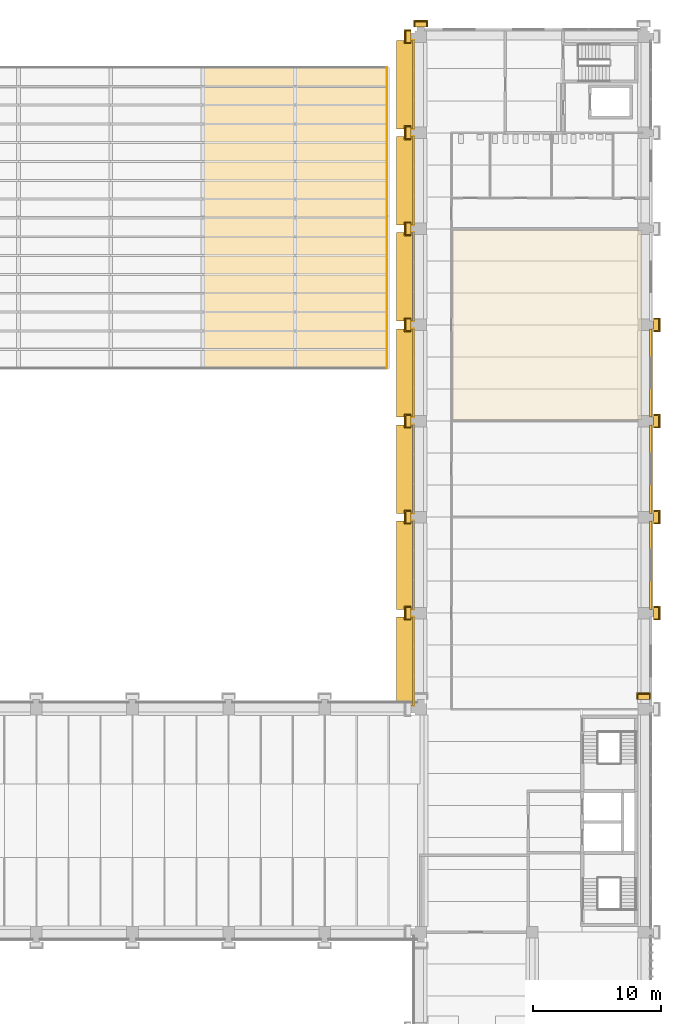
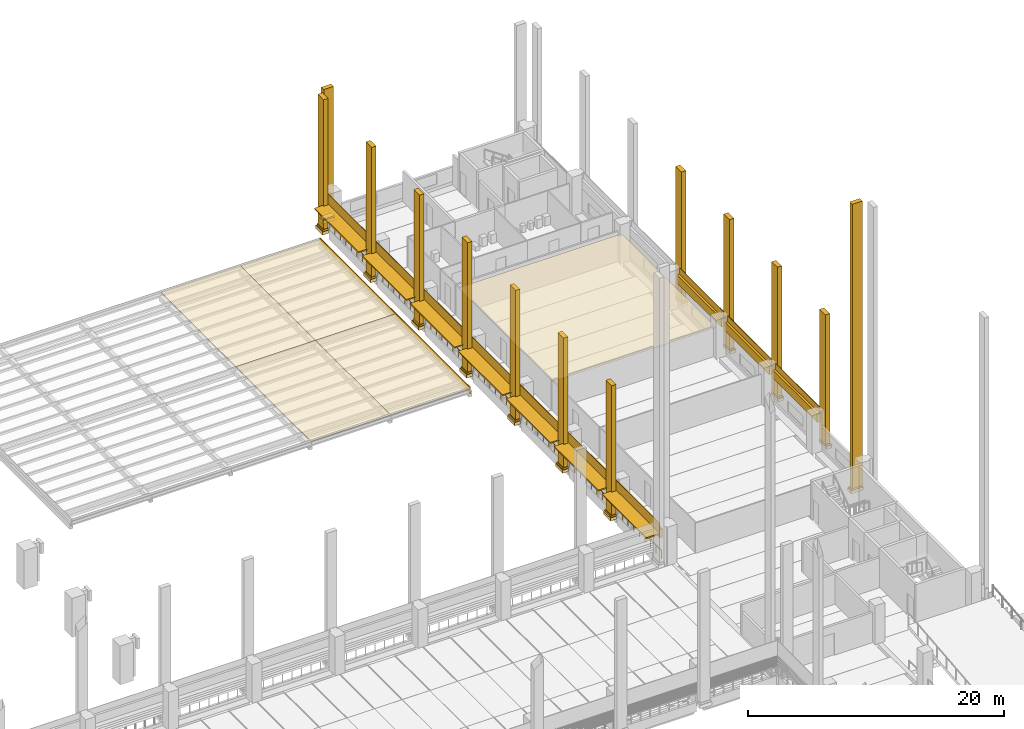
# One storey, part 61 of 67: 55 coverings, 7 railings, 7 shading devices, 1 element without a shape of its own.
"""IFC4 building model written with IfcOpenShell, lengths in metres."""

import ifcopenshell
import ifcopenshell.guid

model = None  # the IFC model being written
_history = None  # IfcOwnerHistory: only IFC2X3 demands one
_inside = {}  # id of a spatial element -> (the spatial element, [elements in it])
_under = {}  # id of a project, library or spatial element -> (it, [spatial elements below it])
_declared = {}  # id of a project -> (the project, [libraries it declares])
_typed = {}  # id of a type object -> (the type object, [elements of that type])
_made_of = {}  # id of a material, layer set ... -> (it, [elements and type objects made of it])


def new_model(schema):
    """Start an empty IFC model of exactly this schema.

    Asked for "IFC4X3", IfcOpenShell would pick the latest addendum, in which some entities
    have other attributes; the version numbers below select the first issue.
    IFC2X3 requires an IfcOwnerHistory on every rooted entity: one is made here for all.
    """
    global model, _history
    if schema == "IFC4X3":
        model = ifcopenshell.file(schema_version=(4, 3, 0, 0))
    else:
        model = ifcopenshell.file(schema=schema)
    _inside.clear()
    _under.clear()
    _declared.clear()
    _typed.clear()
    _made_of.clear()
    _history = None
    if model.schema == "IFC2X3":
        org = make("IfcOrganization", Name="unknown")
        user = make(
            "IfcPersonAndOrganization",
            ThePerson=make("IfcPerson", FamilyName="unknown"),
            TheOrganization=org,
        )
        app = make(
            "IfcApplication",
            ApplicationDeveloper=org,
            Version="unknown",
            ApplicationFullName="unknown",
            ApplicationIdentifier="unknown",
        )
        _history = make(
            "IfcOwnerHistory",
            OwningUser=user,
            OwningApplication=app,
            ChangeAction="ADDED",
            CreationDate=0,
        )
    return model


def make(cls, **values):
    """One entity of the class cls with the attributes given. An attribute that is None is left unset."""
    return model.create_entity(
        cls, **{name: value for name, value in values.items() if value is not None}
    )


def rooted(cls, **values):
    """An entity with a GlobalId (a new one), such as an element, a storey or a relation."""
    return make(cls, GlobalId=ifcopenshell.guid.new(), OwnerHistory=_history, **values)


def si_unit(unit_type, name, prefix=None):
    """IfcSIUnit, for example si_unit("LENGTHUNIT", "METRE", prefix="MILLI")."""
    return make("IfcSIUnit", UnitType=unit_type, Prefix=prefix, Name=name)


def assignment(units):
    """IfcUnitAssignment: the units of a project."""
    return None if units is None else make("IfcUnitAssignment", Units=units)


def point(xyz):
    """IfcCartesianPoint."""
    return None if xyz is None else make("IfcCartesianPoint", Coordinates=xyz)


def direction(xyz):
    """IfcDirection."""
    return None if xyz is None else make("IfcDirection", DirectionRatios=xyz)


def frame(location, z_axis=None, x_axis=None):
    """IfcAxis2Placement3D, a coordinate frame: its origin and axes. An axis left out is left unset."""
    return make(
        "IfcAxis2Placement3D",
        Location=point(location),
        Axis=direction(z_axis),
        RefDirection=direction(x_axis),
    )


def frame_2d(location, x_axis=None):
    """IfcAxis2Placement2D, a coordinate frame in the plane: its origin and x axis."""
    return make(
        "IfcAxis2Placement2D", Location=point(location), RefDirection=direction(x_axis)
    )


def origin():
    """The frame at (0, 0, 0) with its axes left unset."""
    return frame((0.0, 0.0, 0.0))


def origin_2d():
    """The frame at (0, 0) in the plane with its x axis left unset."""
    return frame_2d((0.0, 0.0))


def place(relative_to, where):
    """IfcLocalPlacement: puts the frame where relative to a parent placement (None: the world)."""
    return make(
        "IfcLocalPlacement", PlacementRelTo=relative_to, RelativePlacement=where
    )


def context(
    kind, dimensions, precision=None, world=None, true_north=None, identifier=None
):
    """IfcGeometricRepresentationContext, for example the 3D "Model" context."""
    return make(
        "IfcGeometricRepresentationContext",
        ContextIdentifier=identifier,
        ContextType=kind,
        CoordinateSpaceDimension=dimensions,
        Precision=precision,
        WorldCoordinateSystem=world,
        TrueNorth=true_north,
    )


def subcontext(parent, identifier, kind, view, scale=None):
    """IfcGeometricRepresentationSubContext, for example "Body" below "Model"."""
    return make(
        "IfcGeometricRepresentationSubContext",
        ContextIdentifier=identifier,
        ContextType=kind,
        ParentContext=parent,
        TargetScale=scale,
        TargetView=view,
    )


def project(units=None, contexts=None):
    """IfcProject with its units and contexts."""
    return rooted(
        "IfcProject",
        Name="project",
        RepresentationContexts=contexts,
        UnitsInContext=assignment(units),
    )


def spatial(cls, under=None, at=None, **own):
    """A site, building, storey or space (cls), placed at a placement, below another one or the project."""
    s = rooted(cls, ObjectPlacement=at, **own)
    if under is not None:
        _under.setdefault(under.id(), (under, []))[1].append(s)
    return s


def polyline(points):
    """IfcPolyline through the points."""
    return make("IfcPolyline", Points=[point(p) for p in points])


def profile(cls, at=None, kind="AREA", **sizes):
    """A parametric profile (cls). Its sizes go by their IFC names, for example OverallWidth=200.0."""
    return make(cls, ProfileType=kind, Position=at, **sizes)


def circle(**sizes):
    """IfcCircleProfileDef."""
    return profile("IfcCircleProfileDef", **sizes)


def outline(outer, holes=None, kind="AREA"):
    """IfcArbitraryClosedProfileDef: a profile drawn as a closed curve; with holes, ...WithVoids."""
    if holes is None:
        return make("IfcArbitraryClosedProfileDef", ProfileType=kind, OuterCurve=outer)
    return make(
        "IfcArbitraryProfileDefWithVoids",
        ProfileType=kind,
        OuterCurve=outer,
        InnerCurves=holes,
    )


def extrude(swept, where, along, depth):
    """IfcExtrudedAreaSolid: the profile swept, set in the frame where, extruded along a direction by depth."""
    return make(
        "IfcExtrudedAreaSolid",
        SweptArea=swept,
        Position=where,
        ExtrudedDirection=direction(along),
        Depth=depth,
    )


def shape(context_of_items, identifier, shape_type, items):
    """IfcShapeRepresentation: the items that make up one representation, for example the "Body"."""
    return make(
        "IfcShapeRepresentation",
        ContextOfItems=context_of_items,
        RepresentationIdentifier=identifier,
        RepresentationType=shape_type,
        Items=items,
    )


def material(Name=None, Category=None):
    """IfcMaterial."""
    return make("IfcMaterial", Name=Name, Category=Category)


def layer(
    of_material, thickness, ventilated=None, Name=None, Category=None, Priority=None
):
    """IfcMaterialLayer: one layer of a wall or slab, of a material (None: an air gap)."""
    return make(
        "IfcMaterialLayer",
        Material=of_material,
        LayerThickness=thickness,
        IsVentilated=ventilated,
        Name=Name,
        Category=Category,
        Priority=Priority,
    )


def layer_set(layers, Name=None):
    """IfcMaterialLayerSet."""
    return make("IfcMaterialLayerSet", MaterialLayers=layers, LayerSetName=Name)


def made_of(thing, what):
    """Note that an element or type object is made of a material, layer set ...; save() writes the relation."""
    if what is not None:
        _made_of.setdefault(what.id(), (what, []))[1].append(thing)
    return thing


def type_object(cls, material=None, **own):
    """A type object (cls), such as IfcWallType, which elements share."""
    return made_of(rooted(cls, **own), material)


def element(
    cls,
    number,
    at=None,
    inside=None,
    cuts=None,
    type_object=None,
    material=None,
    context=None,
    identifier="Body",
    shape_type=None,
    held_by="IfcProductDefinitionShape",
    body=None,
    shapes=None,
    **own,
):
    """One element of the class cls, such as IfcWall. Its Tag is "e" and its number.

    at: its placement. inside: the storey or other place that contains it. cuts: it is an
    opening in that element (IfcRelVoidsElement). A single representation is given by context,
    identifier, shape_type and body (its items); several are given by shapes. held_by: the class
    of the entity that holds the representations. save() writes the other relations.
    """
    e = rooted(cls, Tag="e%d" % number, ObjectPlacement=at, **own)
    if body is not None:
        shapes = [shape(context, identifier, shape_type, body)]
    if shapes is not None:
        e.Representation = make(held_by, Representations=shapes)
    if inside is not None:
        _inside.setdefault(inside.id(), (inside, []))[1].append(e)
    if cuts is not None:
        rooted(
            "IfcRelVoidsElement", RelatingBuildingElement=cuts, RelatedOpeningElement=e
        )
    if type_object is not None:
        _typed.setdefault(type_object.id(), (type_object, []))[1].append(e)
    return made_of(e, material)


def aggregate(whole, parts):
    """IfcRelAggregates: a whole, such as a stair, and the parts it consists of."""
    return rooted("IfcRelAggregates", RelatingObject=whole, RelatedObjects=parts)


def save(model, path):
    """Write the relations noted so far, then the file.

    IfcRelAggregates (storeys below a building ...), IfcRelContainedInSpatialStructure (elements
    in a storey), IfcRelDefinesByType, IfcRelAssociatesMaterial and IfcRelDeclares: one each for
    every whole, place, type object, material and project.
    """
    for whole, parts in _under.values():
        aggregate(whole, parts)
    for where, things in _inside.values():
        rooted(
            "IfcRelContainedInSpatialStructure",
            RelatedElements=things,
            RelatingStructure=where,
        )
    for kind, things in _typed.values():
        rooted("IfcRelDefinesByType", RelatedObjects=things, RelatingType=kind)
    for what, things in _made_of.values():
        rooted("IfcRelAssociatesMaterial", RelatedObjects=things, RelatingMaterial=what)
    for by, libraries in _declared.values():
        rooted("IfcRelDeclares", RelatingContext=by, RelatedDefinitions=libraries)
    model.write(path)


model = new_model("IFC4")

# Units and contexts
model_context = context("Model", 3, precision=1e-05, world=origin(), true_north=direction((0.0, 1.0)))
body_context = subcontext(model_context, "Body", "Model", "MODEL_VIEW")
ifc_project = project(units=[si_unit("LENGTHUNIT", "METRE"), si_unit("AREAUNIT", "SQUARE_METRE"), si_unit("VOLUMEUNIT", "CUBIC_METRE"), si_unit("PLANEANGLEUNIT", "RADIAN"), si_unit("MASSUNIT", "GRAM", prefix="KILO")], contexts=[model_context])

# Site, building, storey
site_placement = place(None, origin())
site = spatial("IfcSite", under=ifc_project, at=site_placement, CompositionType="ELEMENT")
building_placement = place(site_placement, origin())
building = spatial("IfcBuilding", under=site, at=building_placement, Name="Cour d'Honneur Mobility Palace", CompositionType="ELEMENT")
storey_placement = place(building_placement, frame((0.0, 0.0, 4.5)))
storey = spatial("IfcBuildingStorey", under=building, at=storey_placement, Name="L01", CompositionType="ELEMENT", Elevation=4.5)

# Railings
ifc_material_1 = material(Name="Painted steel", Category="steel")
railing_type = type_object("IfcRailingType", Name="Balustrade", PredefinedType="BALUSTRADE", material=ifc_material_1)
for number, where, name in (
    (1, (144.35009765625, 114.60009765625, 0.300048828125), "Balustrade BAL-33"),
    (2, (144.35009765625, 107.10009765625, 0.300048828125), "Balustrade BAL-34"),
    (3, (144.35009765625, 99.60009765625, 0.300048828125), "Balustrade BAL-35"),
    (4, (144.35009765625, 92.10009765625, 0.300048828125), "Balustrade BAL-36"),
    (5, (144.35009765625, 84.60009765625, 0.300048828125), "Balustrade BAL-37"),
    (6, (144.35009765625, 77.10009765625, 0.300048828125), "Balustrade BAL-38"),
    (7, (144.35009765625, 69.60009765625, 0.300048828125), "Balustrade BAL-39"),
):
    element("IfcRailing", number, at=place(storey_placement, frame(where)), inside=storey, type_object=railing_type, Name=name, PredefinedType="BALUSTRADE", context=body_context, shape_type="SweptSolid", body=[
        extrude(circle(Radius=0.02392578125, at=origin_2d()), frame((0.0, 0.0, 0.77587890625), z_axis=(0.0, -1.0, 0.0), x_axis=(1.0, 0.0, 0.0)), (0.0, 0.0, 1.0), 6.900146484375),
        extrude(circle(Radius=0.02099609375, at=origin_2d()), origin(), (0.0, 0.0, 1.0), 0.751953125),
        extrude(circle(Radius=0.02099609375, at=origin_2d()), frame((0.0, -0.862548828125, 0.0)), (0.0, 0.0, 1.0), 0.751953125),
        extrude(circle(Radius=0.02099609375, at=origin_2d()), frame((0.0, -1.72509765625, 0.0)), (0.0, 0.0, 1.0), 0.751953125),
        extrude(circle(Radius=0.02099609375, at=origin_2d()), frame((0.0, -2.587646484375, 0.0)), (0.0, 0.0, 1.0), 0.751953125),
        extrude(circle(Radius=0.02099609375, at=origin_2d()), frame((0.0, -3.4501953125, 0.0)), (0.0, 0.0, 1.0), 0.751953125),
        extrude(circle(Radius=0.02099609375, at=origin_2d()), frame((0.0, -4.3125, 0.0)), (0.0, 0.0, 1.0), 0.751953125),
        extrude(circle(Radius=0.02099609375, at=origin_2d()), frame((0.0, -5.175048828125, 0.0)), (0.0, 0.0, 1.0), 0.751953125),
        extrude(circle(Radius=0.02099609375, at=origin_2d()), frame((0.0, -6.03759765625, 0.0)), (0.0, 0.0, 1.0), 0.751953125),
        extrude(circle(Radius=0.02099609375, at=origin_2d()), frame((0.0, -6.900146484375, 0.0)), (0.0, 0.0, 1.0), 0.751953125),
    ])

# Roof, coverings
ifc_material_2 = material(Name="Zinc standing seam")
ifc_layer_1 = layer(ifc_material_2, 0.050048828125)
ifc_layer_set_1 = layer_set([ifc_layer_1], Name="Zinc standing seam")
roof_type = type_object("IfcRoofType", Name="Forecourt canopy", PredefinedType="FLAT_ROOF", material=ifc_layer_set_1)
roof_placement = place(storey_placement, origin())
roof = element("IfcRoof", 8, at=roof_placement, inside=storey, type_object=roof_type, Name="Forecourt canopy roof E", PredefinedType="FLAT_ROOF")
ifc_material_3 = material(Name="Cast limestone", Category="masonry")
ifc_layer_2 = layer(ifc_material_3, 0.0400390625)
ifc_layer_set_2 = layer_set([ifc_layer_2], Name="Cast limestone")
covering_type_1 = type_object("IfcCoveringType", Name="Canopy fascia", PredefinedType="CLADDING", material=ifc_layer_set_2)
covering_1_placement = place(storey_placement, frame((142.300048828125, 89.0, 0.800048828125), z_axis=(1.0, 0.0, 0.0), x_axis=(0.0, 1.0, 0.0)))
covering_1 = element("IfcCovering", 9, at=covering_1_placement, type_object=covering_type_1, Name="Canopy fascia FCF-E2", PredefinedType="CLADDING", context=body_context, shape_type="SweptSolid", body=[
    extrude(outline(polyline([(0.0, 0.0), (23.5, 0.0), (23.5, 0.64990234375), (0.0, 0.64990234375), (0.0, 0.0)])), origin(), (0.0, 0.0, -1.0), 0.0400390625),
])
ifc_material_4 = material(Name="Zinc standing seam")
ifc_layer_3 = layer(ifc_material_4, 0.050048828125)
ifc_layer_set_3 = layer_set([ifc_layer_3], Name="Zinc standing seam")
covering_type_2 = type_object("IfcCoveringType", Name="Canopy roof panel", PredefinedType="ROOFING", material=ifc_layer_set_3)
covering_2_placement = place(storey_placement, frame((127.89990234375, 89.0, 1.300048828125), z_axis=(0.0, 0.0, 1.0), x_axis=(1.0, 0.0, 0.0)))
covering_2 = element("IfcCovering", 10, at=covering_2_placement, type_object=covering_type_2, Name="Canopy roof panel FCS-E7", PredefinedType="ROOFING", context=body_context, shape_type="SweptSolid", body=[
    extrude(outline(polyline([(0.0, 0.0), (7.2001953125, 0.0), (7.2001953125, 11.75), (0.0, 11.75), (0.0, 0.0)])), origin(), (0.0, 0.0, -1.0), 0.050048828125),
])
covering_3_placement = place(storey_placement, frame((127.89990234375, 100.75, 1.300048828125), z_axis=(0.0, 0.0, 1.0), x_axis=(1.0, 0.0, 0.0)))
covering_3 = element("IfcCovering", 11, at=covering_3_placement, type_object=covering_type_2, Name="Canopy roof panel FCS-E8", PredefinedType="ROOFING", context=body_context, shape_type="SweptSolid", body=[
    extrude(outline(polyline([(0.0, 0.0), (7.2001953125, 0.0), (7.2001953125, 11.75), (0.0, 11.75), (0.0, 0.0)])), origin(), (0.0, 0.0, -1.0), 0.050048828125),
])
covering_4_placement = place(storey_placement, frame((135.10009765625, 89.0, 1.300048828125), z_axis=(0.0, 0.0, 1.0), x_axis=(1.0, 0.0, 0.0)))
covering_4 = element("IfcCovering", 12, at=covering_4_placement, type_object=covering_type_2, Name="Canopy roof panel FCS-E9", PredefinedType="ROOFING", context=body_context, shape_type="SweptSolid", body=[
    extrude(outline(polyline([(0.0, 0.0), (7.199951171875, 0.0), (7.199951171875, 11.75), (0.0, 11.75), (0.0, 0.0)])), origin(), (0.0, 0.0, -1.0), 0.050048828125),
])
covering_5_placement = place(storey_placement, frame((135.10009765625, 100.75, 1.300048828125), z_axis=(0.0, 0.0, 1.0), x_axis=(1.0, 0.0, 0.0)))
covering_5 = element("IfcCovering", 13, at=covering_5_placement, type_object=covering_type_2, Name="Canopy roof panel FCS-E10", PredefinedType="ROOFING", context=body_context, shape_type="SweptSolid", body=[
    extrude(outline(polyline([(0.0, 0.0), (7.199951171875, 0.0), (7.199951171875, 11.75), (0.0, 11.75), (0.0, 0.0)])), origin(), (0.0, 0.0, -1.0), 0.050048828125),
])
aggregate(roof, [covering_2, covering_3, covering_4, covering_5, covering_1])

# Coverings
ifc_material_5 = material(Name="Cast limestone", Category="masonry")
ifc_layer_4 = layer(ifc_material_5, 0.14990234375)
ifc_layer_set_4 = layer_set([ifc_layer_4], Name="Cast limestone")
covering_type_3 = type_object("IfcCoveringType", Name="Pilaster base", PredefinedType="CLADDING", material=ifc_layer_set_4)
covering_6_placement = place(storey_placement, frame((0.0, 0.0, 0.10009765625)))
element("IfcCovering", 14, at=covering_6_placement, inside=storey, type_object=covering_type_3, Name="Pilaster base PB-89", PredefinedType="CLADDING", context=body_context, shape_type="SweptSolid", body=[
    extrude(outline(polyline([(163.050048828125, 69.35009765625), (163.050048828125, 70.449951171875), (163.60009765625, 70.449951171875), (163.60009765625, 69.35009765625), (163.050048828125, 69.35009765625)])), origin(), (0.0, 0.0, 1.0), 0.2998046875),
])
covering_7_placement = place(storey_placement, frame((0.0, 0.0, 0.39990234375)))
element("IfcCovering", 15, at=covering_7_placement, inside=storey, type_object=covering_type_3, Name="Pilaster base PB-90", PredefinedType="CLADDING", context=body_context, shape_type="SweptSolid", body=[
    extrude(outline(polyline([(163.050048828125, 69.39990234375), (163.050048828125, 70.39990234375), (163.52001953125, 70.39990234375), (163.52001953125, 69.39990234375), (163.050048828125, 69.39990234375)])), origin(), (0.0, 0.0, 1.0), 0.150146484375),
])
covering_8_placement = place(storey_placement, frame((0.0, 0.0, 0.10009765625)))
element("IfcCovering", 16, at=covering_8_placement, inside=storey, type_object=covering_type_3, Name="Pilaster base PB-91", PredefinedType="CLADDING", context=body_context, shape_type="SweptSolid", body=[
    extrude(outline(polyline([(163.050048828125, 76.85009765625), (163.050048828125, 77.949951171875), (163.60009765625, 77.949951171875), (163.60009765625, 76.85009765625), (163.050048828125, 76.85009765625)])), origin(), (0.0, 0.0, 1.0), 0.2998046875),
])
covering_9_placement = place(storey_placement, frame((0.0, 0.0, 0.39990234375)))
element("IfcCovering", 17, at=covering_9_placement, inside=storey, type_object=covering_type_3, Name="Pilaster base PB-92", PredefinedType="CLADDING", context=body_context, shape_type="SweptSolid", body=[
    extrude(outline(polyline([(163.050048828125, 76.89990234375), (163.050048828125, 77.89990234375), (163.52001953125, 77.89990234375), (163.52001953125, 76.89990234375), (163.050048828125, 76.89990234375)])), origin(), (0.0, 0.0, 1.0), 0.150146484375),
])
covering_10_placement = place(storey_placement, frame((0.0, 0.0, 0.10009765625)))
element("IfcCovering", 18, at=covering_10_placement, inside=storey, type_object=covering_type_3, Name="Pilaster base PB-93", PredefinedType="CLADDING", context=body_context, shape_type="SweptSolid", body=[
    extrude(outline(polyline([(163.050048828125, 84.35009765625), (163.050048828125, 85.449951171875), (163.60009765625, 85.449951171875), (163.60009765625, 84.35009765625), (163.050048828125, 84.35009765625)])), origin(), (0.0, 0.0, 1.0), 0.2998046875),
])
covering_11_placement = place(storey_placement, frame((0.0, 0.0, 0.39990234375)))
element("IfcCovering", 19, at=covering_11_placement, inside=storey, type_object=covering_type_3, Name="Pilaster base PB-94", PredefinedType="CLADDING", context=body_context, shape_type="SweptSolid", body=[
    extrude(outline(polyline([(163.050048828125, 84.39990234375), (163.050048828125, 85.39990234375), (163.52001953125, 85.39990234375), (163.52001953125, 84.39990234375), (163.050048828125, 84.39990234375)])), origin(), (0.0, 0.0, 1.0), 0.150146484375),
])
covering_12_placement = place(storey_placement, frame((0.0, 0.0, 0.10009765625)))
element("IfcCovering", 20, at=covering_12_placement, inside=storey, type_object=covering_type_3, Name="Pilaster base PB-95", PredefinedType="CLADDING", context=body_context, shape_type="SweptSolid", body=[
    extrude(outline(polyline([(163.050048828125, 91.85009765625), (163.050048828125, 92.949951171875), (163.60009765625, 92.949951171875), (163.60009765625, 91.85009765625), (163.050048828125, 91.85009765625)])), origin(), (0.0, 0.0, 1.0), 0.2998046875),
])
covering_13_placement = place(storey_placement, frame((0.0, 0.0, 0.39990234375)))
element("IfcCovering", 21, at=covering_13_placement, inside=storey, type_object=covering_type_3, Name="Pilaster base PB-96", PredefinedType="CLADDING", context=body_context, shape_type="SweptSolid", body=[
    extrude(outline(polyline([(163.050048828125, 91.89990234375), (163.050048828125, 92.89990234375), (163.52001953125, 92.89990234375), (163.52001953125, 91.89990234375), (163.050048828125, 91.89990234375)])), origin(), (0.0, 0.0, 1.0), 0.150146484375),
])
covering_14_placement = place(storey_placement, frame((0.0, 0.0, 0.10009765625)))
element("IfcCovering", 22, at=covering_14_placement, inside=storey, type_object=covering_type_3, Name="Pilaster base PB-105", PredefinedType="CLADDING", context=body_context, shape_type="SweptSolid", body=[
    extrude(outline(polyline([(145.449951171875, 115.64990234375), (144.35009765625, 115.64990234375), (144.35009765625, 116.199951171875), (145.449951171875, 116.199951171875), (145.449951171875, 115.64990234375)])), origin(), (0.0, 0.0, 1.0), 0.2998046875),
])
covering_15_placement = place(storey_placement, frame((0.0, 0.0, 0.39990234375)))
element("IfcCovering", 23, at=covering_15_placement, inside=storey, type_object=covering_type_3, Name="Pilaster base PB-106", PredefinedType="CLADDING", context=body_context, shape_type="SweptSolid", body=[
    extrude(outline(polyline([(145.39990234375, 115.64990234375), (144.39990234375, 115.64990234375), (144.39990234375, 116.1201171875), (145.39990234375, 116.1201171875), (145.39990234375, 115.64990234375)])), origin(), (0.0, 0.0, 1.0), 0.150146484375),
])
covering_16_placement = place(storey_placement, frame((0.0, 0.0, 0.10009765625)))
element("IfcCovering", 24, at=covering_16_placement, inside=storey, type_object=covering_type_3, Name="Pilaster base PB-107", PredefinedType="CLADDING", context=body_context, shape_type="SweptSolid", body=[
    extrude(outline(polyline([(144.14990234375, 115.449951171875), (144.14990234375, 114.35009765625), (143.60009765625, 114.35009765625), (143.60009765625, 115.449951171875), (144.14990234375, 115.449951171875)])), origin(), (0.0, 0.0, 1.0), 0.2998046875),
])
covering_17_placement = place(storey_placement, frame((0.0, 0.0, 0.39990234375)))
element("IfcCovering", 25, at=covering_17_placement, inside=storey, type_object=covering_type_3, Name="Pilaster base PB-108", PredefinedType="CLADDING", context=body_context, shape_type="SweptSolid", body=[
    extrude(outline(polyline([(144.14990234375, 115.39990234375), (144.14990234375, 114.39990234375), (143.679931640625, 114.39990234375), (143.679931640625, 115.39990234375), (144.14990234375, 115.39990234375)])), origin(), (0.0, 0.0, 1.0), 0.150146484375),
])
covering_18_placement = place(storey_placement, frame((0.0, 0.0, 0.10009765625)))
element("IfcCovering", 26, at=covering_18_placement, inside=storey, type_object=covering_type_3, Name="Pilaster base PB-109", PredefinedType="CLADDING", context=body_context, shape_type="SweptSolid", body=[
    extrude(outline(polyline([(144.14990234375, 107.949951171875), (144.14990234375, 106.85009765625), (143.60009765625, 106.85009765625), (143.60009765625, 107.949951171875), (144.14990234375, 107.949951171875)])), origin(), (0.0, 0.0, 1.0), 0.2998046875),
])
covering_19_placement = place(storey_placement, frame((0.0, 0.0, 0.39990234375)))
element("IfcCovering", 27, at=covering_19_placement, inside=storey, type_object=covering_type_3, Name="Pilaster base PB-110", PredefinedType="CLADDING", context=body_context, shape_type="SweptSolid", body=[
    extrude(outline(polyline([(144.14990234375, 107.89990234375), (144.14990234375, 106.89990234375), (143.679931640625, 106.89990234375), (143.679931640625, 107.89990234375), (144.14990234375, 107.89990234375)])), origin(), (0.0, 0.0, 1.0), 0.150146484375),
])
covering_20_placement = place(storey_placement, frame((0.0, 0.0, 0.10009765625)))
element("IfcCovering", 28, at=covering_20_placement, inside=storey, type_object=covering_type_3, Name="Pilaster base PB-111", PredefinedType="CLADDING", context=body_context, shape_type="SweptSolid", body=[
    extrude(outline(polyline([(144.14990234375, 100.449951171875), (144.14990234375, 99.35009765625), (143.60009765625, 99.35009765625), (143.60009765625, 100.449951171875), (144.14990234375, 100.449951171875)])), origin(), (0.0, 0.0, 1.0), 0.2998046875),
])
covering_21_placement = place(storey_placement, frame((0.0, 0.0, 0.39990234375)))
element("IfcCovering", 29, at=covering_21_placement, inside=storey, type_object=covering_type_3, Name="Pilaster base PB-112", PredefinedType="CLADDING", context=body_context, shape_type="SweptSolid", body=[
    extrude(outline(polyline([(144.14990234375, 100.39990234375), (144.14990234375, 99.39990234375), (143.679931640625, 99.39990234375), (143.679931640625, 100.39990234375), (144.14990234375, 100.39990234375)])), origin(), (0.0, 0.0, 1.0), 0.150146484375),
])
covering_22_placement = place(storey_placement, frame((0.0, 0.0, 0.10009765625)))
element("IfcCovering", 30, at=covering_22_placement, inside=storey, type_object=covering_type_3, Name="Pilaster base PB-113", PredefinedType="CLADDING", context=body_context, shape_type="SweptSolid", body=[
    extrude(outline(polyline([(144.14990234375, 92.949951171875), (144.14990234375, 91.85009765625), (143.60009765625, 91.85009765625), (143.60009765625, 92.949951171875), (144.14990234375, 92.949951171875)])), origin(), (0.0, 0.0, 1.0), 0.2998046875),
])
covering_23_placement = place(storey_placement, frame((0.0, 0.0, 0.39990234375)))
element("IfcCovering", 31, at=covering_23_placement, inside=storey, type_object=covering_type_3, Name="Pilaster base PB-114", PredefinedType="CLADDING", context=body_context, shape_type="SweptSolid", body=[
    extrude(outline(polyline([(144.14990234375, 92.89990234375), (144.14990234375, 91.89990234375), (143.679931640625, 91.89990234375), (143.679931640625, 92.89990234375), (144.14990234375, 92.89990234375)])), origin(), (0.0, 0.0, 1.0), 0.150146484375),
])
covering_24_placement = place(storey_placement, frame((0.0, 0.0, 0.10009765625)))
element("IfcCovering", 32, at=covering_24_placement, inside=storey, type_object=covering_type_3, Name="Pilaster base PB-115", PredefinedType="CLADDING", context=body_context, shape_type="SweptSolid", body=[
    extrude(outline(polyline([(144.14990234375, 85.449951171875), (144.14990234375, 84.35009765625), (143.60009765625, 84.35009765625), (143.60009765625, 85.449951171875), (144.14990234375, 85.449951171875)])), origin(), (0.0, 0.0, 1.0), 0.2998046875),
])
covering_25_placement = place(storey_placement, frame((0.0, 0.0, 0.39990234375)))
element("IfcCovering", 33, at=covering_25_placement, inside=storey, type_object=covering_type_3, Name="Pilaster base PB-116", PredefinedType="CLADDING", context=body_context, shape_type="SweptSolid", body=[
    extrude(outline(polyline([(144.14990234375, 85.39990234375), (144.14990234375, 84.39990234375), (143.679931640625, 84.39990234375), (143.679931640625, 85.39990234375), (144.14990234375, 85.39990234375)])), origin(), (0.0, 0.0, 1.0), 0.150146484375),
])
covering_26_placement = place(storey_placement, frame((0.0, 0.0, 0.10009765625)))
element("IfcCovering", 34, at=covering_26_placement, inside=storey, type_object=covering_type_3, Name="Pilaster base PB-117", PredefinedType="CLADDING", context=body_context, shape_type="SweptSolid", body=[
    extrude(outline(polyline([(144.14990234375, 77.949951171875), (144.14990234375, 76.85009765625), (143.60009765625, 76.85009765625), (143.60009765625, 77.949951171875), (144.14990234375, 77.949951171875)])), origin(), (0.0, 0.0, 1.0), 0.2998046875),
])
covering_27_placement = place(storey_placement, frame((0.0, 0.0, 0.39990234375)))
element("IfcCovering", 35, at=covering_27_placement, inside=storey, type_object=covering_type_3, Name="Pilaster base PB-118", PredefinedType="CLADDING", context=body_context, shape_type="SweptSolid", body=[
    extrude(outline(polyline([(144.14990234375, 77.89990234375), (144.14990234375, 76.89990234375), (143.679931640625, 76.89990234375), (143.679931640625, 77.89990234375), (144.14990234375, 77.89990234375)])), origin(), (0.0, 0.0, 1.0), 0.150146484375),
])
covering_28_placement = place(storey_placement, frame((0.0, 0.0, 0.10009765625)))
element("IfcCovering", 36, at=covering_28_placement, inside=storey, type_object=covering_type_3, Name="Pilaster base PB-119", PredefinedType="CLADDING", context=body_context, shape_type="SweptSolid", body=[
    extrude(outline(polyline([(144.14990234375, 70.449951171875), (144.14990234375, 69.35009765625), (143.60009765625, 69.35009765625), (143.60009765625, 70.449951171875), (144.14990234375, 70.449951171875)])), origin(), (0.0, 0.0, 1.0), 0.2998046875),
])
covering_29_placement = place(storey_placement, frame((0.0, 0.0, 0.39990234375)))
element("IfcCovering", 37, at=covering_29_placement, inside=storey, type_object=covering_type_3, Name="Pilaster base PB-120", PredefinedType="CLADDING", context=body_context, shape_type="SweptSolid", body=[
    extrude(outline(polyline([(144.14990234375, 70.39990234375), (144.14990234375, 69.39990234375), (143.679931640625, 69.39990234375), (143.679931640625, 70.39990234375), (144.14990234375, 70.39990234375)])), origin(), (0.0, 0.0, 1.0), 0.150146484375),
])
covering_30_placement = place(storey_placement, frame((0.0, 0.0, 0.10009765625)))
element("IfcCovering", 38, at=covering_30_placement, inside=storey, type_object=covering_type_3, Name="Pilaster base PB-211", PredefinedType="CLADDING", context=body_context, shape_type="SweptSolid", body=[
    extrude(outline(polyline([(162.85009765625, 63.14990234375), (161.75, 63.14990234375), (161.75, 63.699951171875), (162.85009765625, 63.699951171875), (162.85009765625, 63.14990234375)])), origin(), (0.0, 0.0, 1.0), 0.2998046875),
])
covering_31_placement = place(storey_placement, frame((0.0, 0.0, 0.39990234375)))
element("IfcCovering", 39, at=covering_31_placement, inside=storey, type_object=covering_type_3, Name="Pilaster base PB-212", PredefinedType="CLADDING", context=body_context, shape_type="SweptSolid", body=[
    extrude(outline(polyline([(162.800048828125, 63.14990234375), (161.800048828125, 63.14990234375), (161.800048828125, 63.6201171875), (162.800048828125, 63.6201171875), (162.800048828125, 63.14990234375)])), origin(), (0.0, 0.0, 1.0), 0.150146484375),
])
ifc_material_6 = material(Name="Cast limestone", Category="masonry")
ifc_layer_5 = layer(ifc_material_6, 0.39990234375)
ifc_layer_set_5 = layer_set([ifc_layer_5], Name="Cast limestone")
covering_type_4 = type_object("IfcCoveringType", Name="Pilaster shaft", PredefinedType="CLADDING", material=ifc_layer_set_5)
covering_32_placement = place(storey_placement, frame((0.0, 0.0, 0.550048828125)))
element("IfcCovering", 40, at=covering_32_placement, inside=storey, type_object=covering_type_4, Name="Pilaster shaft PS-45", PredefinedType="CLADDING", context=body_context, shape_type="SweptSolid", body=[
    extrude(outline(polyline([(163.050048828125, 69.449951171875), (163.050048828125, 70.35009765625), (163.449951171875, 70.35009765625), (163.449951171875, 69.449951171875), (163.050048828125, 69.449951171875)])), origin(), (0.0, 0.0, 1.0), 12.349853515625),
])
covering_33_placement = place(storey_placement, frame((0.0, 0.0, 0.550048828125)))
element("IfcCovering", 41, at=covering_33_placement, inside=storey, type_object=covering_type_4, Name="Pilaster shaft PS-46", PredefinedType="CLADDING", context=body_context, shape_type="SweptSolid", body=[
    extrude(outline(polyline([(163.050048828125, 76.949951171875), (163.050048828125, 77.85009765625), (163.449951171875, 77.85009765625), (163.449951171875, 76.949951171875), (163.050048828125, 76.949951171875)])), origin(), (0.0, 0.0, 1.0), 12.349853515625),
])
covering_34_placement = place(storey_placement, frame((0.0, 0.0, 0.550048828125)))
element("IfcCovering", 42, at=covering_34_placement, inside=storey, type_object=covering_type_4, Name="Pilaster shaft PS-47", PredefinedType="CLADDING", context=body_context, shape_type="SweptSolid", body=[
    extrude(outline(polyline([(163.050048828125, 84.449951171875), (163.050048828125, 85.35009765625), (163.449951171875, 85.35009765625), (163.449951171875, 84.449951171875), (163.050048828125, 84.449951171875)])), origin(), (0.0, 0.0, 1.0), 12.349853515625),
])
covering_35_placement = place(storey_placement, frame((0.0, 0.0, 0.550048828125)))
element("IfcCovering", 43, at=covering_35_placement, inside=storey, type_object=covering_type_4, Name="Pilaster shaft PS-48", PredefinedType="CLADDING", context=body_context, shape_type="SweptSolid", body=[
    extrude(outline(polyline([(163.050048828125, 91.949951171875), (163.050048828125, 92.85009765625), (163.449951171875, 92.85009765625), (163.449951171875, 91.949951171875), (163.050048828125, 91.949951171875)])), origin(), (0.0, 0.0, 1.0), 12.349853515625),
])
covering_36_placement = place(storey_placement, frame((0.0, 0.0, 0.550048828125)))
element("IfcCovering", 44, at=covering_36_placement, inside=storey, type_object=covering_type_4, Name="Pilaster shaft PS-53", PredefinedType="CLADDING", context=body_context, shape_type="SweptSolid", body=[
    extrude(outline(polyline([(145.35009765625, 115.64990234375), (144.449951171875, 115.64990234375), (144.449951171875, 116.050048828125), (145.35009765625, 116.050048828125), (145.35009765625, 115.64990234375)])), origin(), (0.0, 0.0, 1.0), 12.349853515625),
])
covering_37_placement = place(storey_placement, frame((0.0, 0.0, 0.550048828125)))
element("IfcCovering", 45, at=covering_37_placement, inside=storey, type_object=covering_type_4, Name="Pilaster shaft PS-54", PredefinedType="CLADDING", context=body_context, shape_type="SweptSolid", body=[
    extrude(outline(polyline([(144.14990234375, 115.35009765625), (144.14990234375, 114.449951171875), (143.75, 114.449951171875), (143.75, 115.35009765625), (144.14990234375, 115.35009765625)])), origin(), (0.0, 0.0, 1.0), 12.349853515625),
])
covering_38_placement = place(storey_placement, frame((0.0, 0.0, 0.550048828125)))
element("IfcCovering", 46, at=covering_38_placement, inside=storey, type_object=covering_type_4, Name="Pilaster shaft PS-55", PredefinedType="CLADDING", context=body_context, shape_type="SweptSolid", body=[
    extrude(outline(polyline([(144.14990234375, 107.85009765625), (144.14990234375, 106.949951171875), (143.75, 106.949951171875), (143.75, 107.85009765625), (144.14990234375, 107.85009765625)])), origin(), (0.0, 0.0, 1.0), 12.349853515625),
])
covering_39_placement = place(storey_placement, frame((0.0, 0.0, 0.550048828125)))
element("IfcCovering", 47, at=covering_39_placement, inside=storey, type_object=covering_type_4, Name="Pilaster shaft PS-56", PredefinedType="CLADDING", context=body_context, shape_type="SweptSolid", body=[
    extrude(outline(polyline([(144.14990234375, 100.35009765625), (144.14990234375, 99.449951171875), (143.75, 99.449951171875), (143.75, 100.35009765625), (144.14990234375, 100.35009765625)])), origin(), (0.0, 0.0, 1.0), 12.349853515625),
])
covering_40_placement = place(storey_placement, frame((0.0, 0.0, 0.550048828125)))
element("IfcCovering", 48, at=covering_40_placement, inside=storey, type_object=covering_type_4, Name="Pilaster shaft PS-57", PredefinedType="CLADDING", context=body_context, shape_type="SweptSolid", body=[
    extrude(outline(polyline([(144.14990234375, 92.85009765625), (144.14990234375, 91.949951171875), (143.75, 91.949951171875), (143.75, 92.85009765625), (144.14990234375, 92.85009765625)])), origin(), (0.0, 0.0, 1.0), 12.349853515625),
])
covering_41_placement = place(storey_placement, frame((0.0, 0.0, 0.550048828125)))
element("IfcCovering", 49, at=covering_41_placement, inside=storey, type_object=covering_type_4, Name="Pilaster shaft PS-58", PredefinedType="CLADDING", context=body_context, shape_type="SweptSolid", body=[
    extrude(outline(polyline([(144.14990234375, 85.35009765625), (144.14990234375, 84.449951171875), (143.75, 84.449951171875), (143.75, 85.35009765625), (144.14990234375, 85.35009765625)])), origin(), (0.0, 0.0, 1.0), 12.349853515625),
])
covering_42_placement = place(storey_placement, frame((0.0, 0.0, 0.550048828125)))
element("IfcCovering", 50, at=covering_42_placement, inside=storey, type_object=covering_type_4, Name="Pilaster shaft PS-59", PredefinedType="CLADDING", context=body_context, shape_type="SweptSolid", body=[
    extrude(outline(polyline([(144.14990234375, 77.85009765625), (144.14990234375, 76.949951171875), (143.75, 76.949951171875), (143.75, 77.85009765625), (144.14990234375, 77.85009765625)])), origin(), (0.0, 0.0, 1.0), 12.349853515625),
])
covering_43_placement = place(storey_placement, frame((0.0, 0.0, 0.550048828125)))
element("IfcCovering", 51, at=covering_43_placement, inside=storey, type_object=covering_type_4, Name="Pilaster shaft PS-60", PredefinedType="CLADDING", context=body_context, shape_type="SweptSolid", body=[
    extrude(outline(polyline([(144.14990234375, 70.35009765625), (144.14990234375, 69.449951171875), (143.75, 69.449951171875), (143.75, 70.35009765625), (144.14990234375, 70.35009765625)])), origin(), (0.0, 0.0, 1.0), 12.349853515625),
])
covering_44_placement = place(storey_placement, frame((0.0, 0.0, 0.550048828125)))
element("IfcCovering", 52, at=covering_44_placement, inside=storey, type_object=covering_type_4, Name="Pilaster shaft PS-106", PredefinedType="CLADDING", context=body_context, shape_type="SweptSolid", body=[
    extrude(outline(polyline([(162.75, 63.14990234375), (161.85009765625, 63.14990234375), (161.85009765625, 63.550048828125), (162.75, 63.550048828125), (162.75, 63.14990234375)])), origin(), (0.0, 0.0, 1.0), 27.14990234375),
])
ifc_material_7 = material(Name="Cast limestone", Category="masonry")
ifc_layer_6 = layer(ifc_material_7, 0.25)
ifc_layer_set_6 = layer_set([ifc_layer_6], Name="Cast limestone")
covering_type_5 = type_object("IfcCoveringType", Name="Spandrel cladding", PredefinedType="CLADDING", material=ifc_layer_set_6)
for number, where, z_axis, x_axis, name in (
    (53, (162.75, 70.199951171875, 2.300048828125), (0.0, -1.0, 0.0), (1.0, 0.0, 0.0), "Spandrel cladding SK-95"),
    (54, (162.75, 77.699951171875, 2.300048828125), (0.0, -1.0, 0.0), (1.0, 0.0, 0.0), "Spandrel cladding SK-96"),
    (55, (162.75, 85.199951171875, 2.300048828125), (0.0, -1.0, 0.0), (1.0, 0.0, 0.0), "Spandrel cladding SK-97"),
    (56, (144.449951171875, 114.60009765625, 2.300048828125), (0.0, 1.0, 0.0), (-1.0, 0.0, 0.0), "Spandrel cladding SK-100"),
    (57, (144.449951171875, 107.10009765625, 2.300048828125), (0.0, 1.0, 0.0), (-1.0, 0.0, 0.0), "Spandrel cladding SK-101"),
    (58, (144.449951171875, 99.60009765625, 2.300048828125), (0.0, 1.0, 0.0), (-1.0, 0.0, 0.0), "Spandrel cladding SK-102"),
    (59, (144.449951171875, 92.10009765625, 2.300048828125), (0.0, 1.0, 0.0), (-1.0, 0.0, 0.0), "Spandrel cladding SK-103"),
    (60, (144.449951171875, 84.60009765625, 2.300048828125), (0.0, 1.0, 0.0), (-1.0, 0.0, 0.0), "Spandrel cladding SK-104"),
    (61, (144.449951171875, 77.10009765625, 2.300048828125), (0.0, 1.0, 0.0), (-1.0, 0.0, 0.0), "Spandrel cladding SK-105"),
    (62, (144.449951171875, 69.60009765625, 2.300048828125), (0.0, 1.0, 0.0), (-1.0, 0.0, 0.0), "Spandrel cladding SK-106"),
):
    element("IfcCovering", number, at=place(storey_placement, frame(where, z_axis=z_axis, x_axis=x_axis)), inside=storey, type_object=covering_type_5, Name=name, PredefinedType="CLADDING", context=body_context, shape_type="SweptSolid", body=[
        extrude(outline(polyline([(0.0, 0.0), (0.25, 0.0), (0.25, 1.39990234375), (0.199951171875, 1.39990234375), (0.199951171875, 0.800048828125), (0.0, 0.800048828125), (0.0, 0.0)])), origin(), (0.0, 0.0, -1.0), 6.89990234375),
    ])

# Shading devices
ifc_material_8 = material(Name="Anodised aluminium", Category="aluminium")
ifc_layer_7 = layer(ifc_material_8, 0.1201171875)
ifc_layer_set_7 = layer_set([ifc_layer_7], Name="Anodised aluminium")
shading_device_type = type_object("IfcShadingDeviceType", Name="Sunshade 1200", PredefinedType="AWNING", material=ifc_layer_set_7)
shading_device_1_placement = place(storey_placement, frame((0.0, 0.0, 2.6298828125)))
element("IfcShadingDevice", 63, at=shading_device_1_placement, inside=storey, type_object=shading_device_type, Name="Sunshade W7.0 L01", PredefinedType="AWNING", context=body_context, shape_type="SweptSolid", body=[
    extrude(outline(polyline([(144.199951171875, 114.60009765625), (144.199951171875, 107.699951171875), (143.0, 107.699951171875), (143.0, 114.60009765625), (144.199951171875, 114.60009765625)])), origin(), (0.0, 0.0, 1.0), 0.1201171875),
])
shading_device_2_placement = place(storey_placement, frame((0.0, 0.0, 2.6298828125)))
element("IfcShadingDevice", 64, at=shading_device_2_placement, inside=storey, type_object=shading_device_type, Name="Sunshade W7.1 L01", PredefinedType="AWNING", context=body_context, shape_type="SweptSolid", body=[
    extrude(outline(polyline([(144.199951171875, 107.10009765625), (144.199951171875, 100.199951171875), (143.0, 100.199951171875), (143.0, 107.10009765625), (144.199951171875, 107.10009765625)])), origin(), (0.0, 0.0, 1.0), 0.1201171875),
])
shading_device_3_placement = place(storey_placement, frame((0.0, 0.0, 2.6298828125)))
element("IfcShadingDevice", 65, at=shading_device_3_placement, inside=storey, type_object=shading_device_type, Name="Sunshade W7.2 L01", PredefinedType="AWNING", context=body_context, shape_type="SweptSolid", body=[
    extrude(outline(polyline([(144.199951171875, 99.60009765625), (144.199951171875, 92.699951171875), (143.0, 92.699951171875), (143.0, 99.60009765625), (144.199951171875, 99.60009765625)])), origin(), (0.0, 0.0, 1.0), 0.1201171875),
])
shading_device_4_placement = place(storey_placement, frame((0.0, 0.0, 2.6298828125)))
element("IfcShadingDevice", 66, at=shading_device_4_placement, inside=storey, type_object=shading_device_type, Name="Sunshade W7.3 L01", PredefinedType="AWNING", context=body_context, shape_type="SweptSolid", body=[
    extrude(outline(polyline([(144.199951171875, 92.10009765625), (144.199951171875, 85.199951171875), (143.0, 85.199951171875), (143.0, 92.10009765625), (144.199951171875, 92.10009765625)])), origin(), (0.0, 0.0, 1.0), 0.1201171875),
])
shading_device_5_placement = place(storey_placement, frame((0.0, 0.0, 2.6298828125)))
element("IfcShadingDevice", 67, at=shading_device_5_placement, inside=storey, type_object=shading_device_type, Name="Sunshade W7.4 L01", PredefinedType="AWNING", context=body_context, shape_type="SweptSolid", body=[
    extrude(outline(polyline([(144.199951171875, 84.60009765625), (144.199951171875, 77.699951171875), (143.0, 77.699951171875), (143.0, 84.60009765625), (144.199951171875, 84.60009765625)])), origin(), (0.0, 0.0, 1.0), 0.1201171875),
])
shading_device_6_placement = place(storey_placement, frame((0.0, 0.0, 2.6298828125)))
element("IfcShadingDevice", 68, at=shading_device_6_placement, inside=storey, type_object=shading_device_type, Name="Sunshade W7.5 L01", PredefinedType="AWNING", context=body_context, shape_type="SweptSolid", body=[
    extrude(outline(polyline([(144.199951171875, 77.10009765625), (144.199951171875, 70.199951171875), (143.0, 70.199951171875), (143.0, 77.10009765625), (144.199951171875, 77.10009765625)])), origin(), (0.0, 0.0, 1.0), 0.1201171875),
])
shading_device_7_placement = place(storey_placement, frame((0.0, 0.0, 2.6298828125)))
element("IfcShadingDevice", 69, at=shading_device_7_placement, inside=storey, type_object=shading_device_type, Name="Sunshade W7.6 L01", PredefinedType="AWNING", context=body_context, shape_type="SweptSolid", body=[
    extrude(outline(polyline([(144.199951171875, 69.60009765625), (144.199951171875, 62.699951171875), (143.0, 62.699951171875), (143.0, 69.60009765625), (144.199951171875, 69.60009765625)])), origin(), (0.0, 0.0, 1.0), 0.1201171875),
])

# Covering
ifc_material_9 = material(Name="Suspended ceiling")
ifc_layer_8 = layer(ifc_material_9, 0.030029296875)
ifc_layer_set_8 = layer_set([ifc_layer_8], Name="Suspended ceiling")
covering_type_6 = type_object("IfcCoveringType", Name="Suspended ceiling", PredefinedType="CEILING", material=ifc_layer_set_8)
covering_45_placement = place(storey_placement, frame((0.0, 0.0, 2.550048828125)))
element("IfcCovering", 70, at=covering_45_placement, inside=storey, type_object=covering_type_6, Name="Ceiling Fleet Operations Centre", PredefinedType="CEILING", context=body_context, shape_type="SweptSolid", body=[
    extrude(outline(polyline([(162.179931640625, 85.02001953125), (147.419921875, 85.02001953125), (147.419921875, 99.780029296875), (162.179931640625, 99.780029296875), (162.179931640625, 85.02001953125)])), origin(), (0.0, 0.0, 1.0), 0.030029296875),
])

save(model, "model.ifc")
